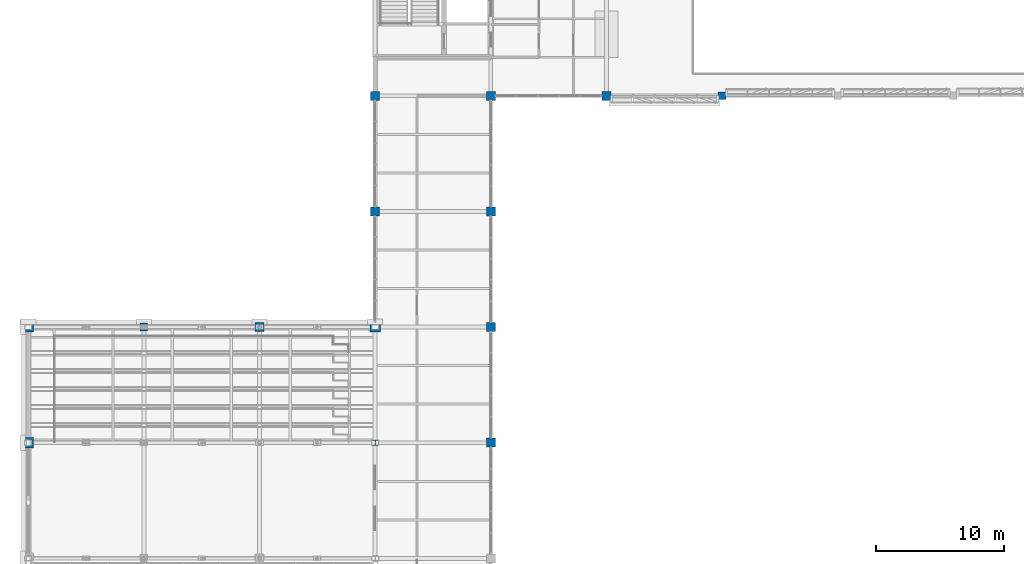
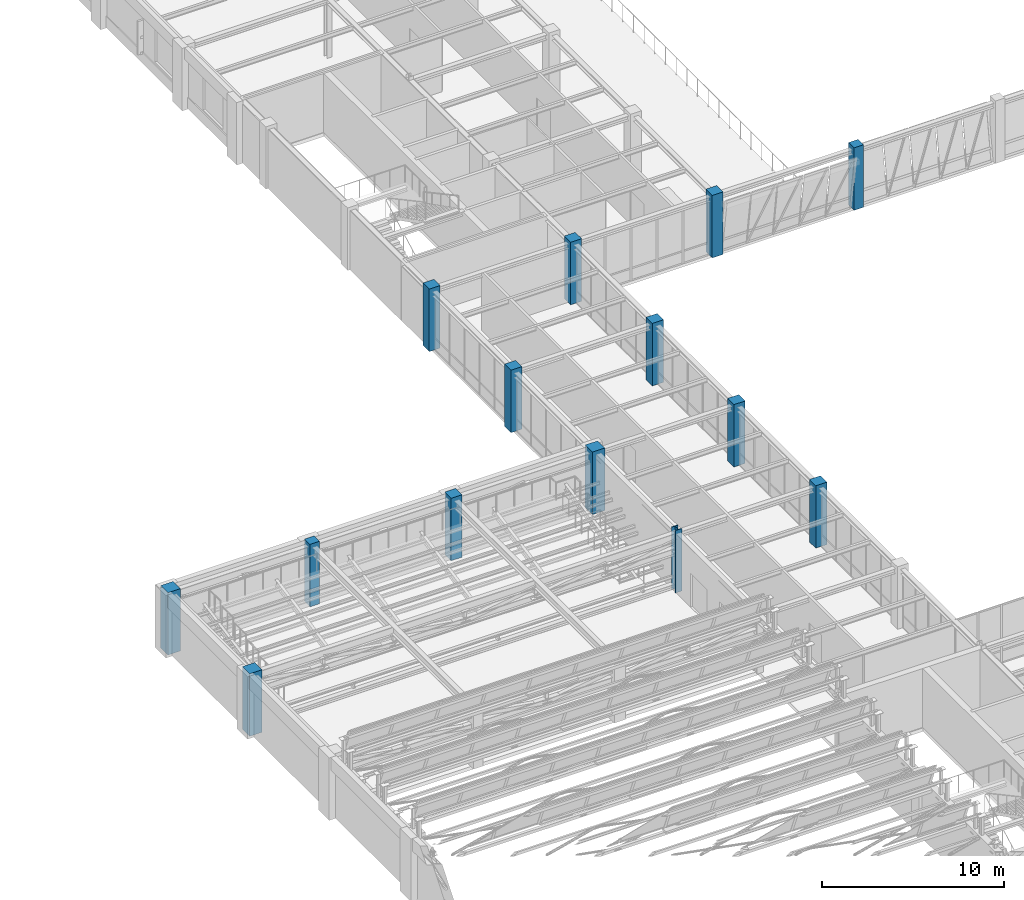
# One storey, part 3 of 108: 14 columns.
"""IFC4 building model written with IfcOpenShell, lengths in metres."""

from ifc_helpers import new_model, si_unit, direction, frame, origin, origin_2d, place, context, subcontext, project, spatial, rectangle, i_section, extrude, material, material_profile, profile_set, type_object, element, save


model = new_model("IFC4")

# Units and contexts
model_context = context("Model", 3, precision=1e-05, world=origin(), true_north=direction((0.0, 1.0)))
body_context = subcontext(model_context, "Body", "Model", "MODEL_VIEW")
ifc_project = project(units=[si_unit("LENGTHUNIT", "METRE"), si_unit("AREAUNIT", "SQUARE_METRE"), si_unit("VOLUMEUNIT", "CUBIC_METRE"), si_unit("PLANEANGLEUNIT", "RADIAN"), si_unit("MASSUNIT", "GRAM", prefix="KILO")], contexts=[model_context])

# Site, building, storey
site_placement = place(None, origin())
site = spatial("IfcSite", under=ifc_project, at=site_placement, CompositionType="ELEMENT")
building_placement = place(site_placement, origin())
building = spatial("IfcBuilding", under=site, at=building_placement, Name="Lykobir Media Centre", CompositionType="ELEMENT")
storey_placement = place(building_placement, frame((0.0, 0.0, 15.0)))
storey = spatial("IfcBuildingStorey", under=building, at=storey_placement, Name="L03", CompositionType="ELEMENT", Elevation=15.0)

# Columns
ifc_material_1 = material(Name="Concrete C40/50", Category="concrete")
ifc_material_profile_1 = material_profile(ifc_material_1, rectangle(XDim=0.60009765625, YDim=0.60009765625, at=origin_2d()), Name="RC 600x600")
ifc_profile_set_1 = profile_set([ifc_material_profile_1], Name="Concrete C40/50")
column_type_1 = type_object("IfcColumnType", Name="RC-C600", PredefinedType="COLUMN", material=ifc_profile_set_1)
for number, where, z_axis, x_axis, name in (
    (1, (9.0, 45.0, 0.0), (0.0, 0.0, 1.0), (1.0, 0.0, 0.0), "Column COL-L03-0090-0450"),
    (2, (54.0, 63.0, 0.0), (0.0, 0.0, 1.0), (1.0, 0.0, 0.0), "Column COL-L03-0540-0630"),
):
    element("IfcColumn", number, at=place(storey_placement, frame(where, z_axis=z_axis, x_axis=x_axis)), inside=storey, type_object=column_type_1, Name=name, PredefinedType="COLUMN", context=body_context, shape_type="SweptSolid", body=[
        extrude(rectangle(XDim=0.60009765625, YDim=0.60009765625, at=origin_2d()), origin(), (0.0, 0.0, 1.0), 4.199951171875),
    ])
ifc_material_profile_2 = material_profile(ifc_material_1, rectangle(XDim=0.699951171875, YDim=0.699951171875, at=origin_2d()), Name="RC 700x700")
ifc_profile_set_2 = profile_set([ifc_material_profile_2], Name="Concrete C40/50")
column_type_2 = type_object("IfcColumnType", Name="RC-C700", PredefinedType="COLUMN", material=ifc_profile_set_2)
for number, where, z_axis, x_axis, name in (
    (3, (18.0, 45.0, 0.0), (0.0, 0.0, 1.0), (1.0, 0.0, 0.0), "Column COL-L03-0180-0450"),
    (4, (27.0, 54.0, 0.0), (0.0, 0.0, 1.0), (1.0, 0.0, 0.0), "Column COL-L03-0270-0540"),
    (5, (27.0, 63.0, 0.0), (0.0, 0.0, 1.0), (1.0, 0.0, 0.0), "Column COL-L03-0270-0630"),
    (6, (36.0, 36.0, 0.0), (0.0, 0.0, 1.0), (1.0, 0.0, 0.0), "Column COL-L03-0360-0360"),
    (7, (36.0, 45.0, 0.0), (0.0, 0.0, 1.0), (1.0, 0.0, 0.0), "Column COL-L03-0360-0450"),
    (8, (36.0, 54.0, 0.0), (0.0, 0.0, 1.0), (1.0, 0.0, 0.0), "Column COL-L03-0360-0540"),
    (9, (36.0, 63.0, 0.0), (0.0, 0.0, 1.0), (1.0, 0.0, 0.0), "Column COL-L03-0360-0630"),
    (10, (45.0, 63.0, 0.0), (0.0, 0.0, 1.0), (1.0, 0.0, 0.0), "Column COL-L03-0450-0630"),
):
    element("IfcColumn", number, at=place(storey_placement, frame(where, z_axis=z_axis, x_axis=x_axis)), inside=storey, type_object=column_type_2, Name=name, PredefinedType="COLUMN", context=body_context, shape_type="SweptSolid", body=[
        extrude(rectangle(XDim=0.699951171875, YDim=0.699951171875, at=origin_2d()), origin(), (0.0, 0.0, 1.0), 4.199951171875),
    ])
ifc_material_profile_3 = material_profile(ifc_material_1, rectangle(XDim=0.800048828125, YDim=0.800048828125, at=origin_2d()), Name="RC 800x800")
ifc_profile_set_3 = profile_set([ifc_material_profile_3], Name="Concrete C40/50")
column_type_3 = type_object("IfcColumnType", Name="RC-C800", PredefinedType="COLUMN", material=ifc_profile_set_3)
column_1_placement = place(storey_placement, frame((27.0, 45.0, 0.0), z_axis=(0.0, 0.0, 1.0), x_axis=(1.0, 0.0, 0.0)))
element("IfcColumn", 11, at=column_1_placement, inside=storey, type_object=column_type_3, Name="Column COL-L03-0270-0450", PredefinedType="COLUMN", context=body_context, shape_type="SweptSolid", body=[
    extrude(rectangle(XDim=0.800048828125, YDim=0.800048828125, at=origin_2d()), origin(), (0.0, 0.0, 1.0), 4.199951171875),
])
ifc_material_profile_4 = material_profile(ifc_material_1, rectangle(XDim=0.800048828125, YDim=0.800048828125, at=origin_2d()), Name="RC 800x800")
ifc_profile_set_4 = profile_set([ifc_material_profile_4], Name="Concrete C40/50")
column_type_4 = type_object("IfcColumnType", Name="RC-C800-E", PredefinedType="COLUMN", material=ifc_profile_set_4)
for number, where, z_axis, x_axis, name in (
    (12, (0.0, 36.0, 0.0), (0.0, 0.0, 1.0), (1.0, 0.0, 0.0), "Column COL-L03-0000-0360"),
    (13, (0.0, 45.0, 0.0), (0.0, 0.0, 1.0), (1.0, 0.0, 0.0), "Column COL-L03-0000-0450"),
):
    element("IfcColumn", number, at=place(storey_placement, frame(where, z_axis=z_axis, x_axis=x_axis)), inside=storey, type_object=column_type_4, Name=name, PredefinedType="COLUMN", context=body_context, shape_type="SweptSolid", body=[
        extrude(rectangle(XDim=0.800048828125, YDim=0.800048828125, at=origin_2d()), origin(), (0.0, 0.0, 1.0), 4.199951171875),
    ])
ifc_material_2 = material(Name="Steel S355", Category="steel")
ifc_material_profile_5 = material_profile(ifc_material_2, i_section(OverallWidth=0.410888671875, OverallDepth=0.425048828125, WebThickness=0.021484375, FlangeThickness=0.031982421875, at=origin_2d()), Name="HD 400x421")
ifc_profile_set_5 = profile_set([ifc_material_profile_5], Name="Steel S355")
column_type_5 = type_object("IfcColumnType", Name="SC-HD421", PredefinedType="COLUMN", material=ifc_profile_set_5)
column_2_placement = place(storey_placement, frame((27.0, 36.0, 0.0), z_axis=(0.0, 0.0, 1.0), x_axis=(1.0, 0.0, 0.0)))
element("IfcColumn", 14, at=column_2_placement, inside=storey, type_object=column_type_5, Name="Column COL-L03-0270-0360", PredefinedType="COLUMN", context=body_context, shape_type="SweptSolid", body=[
    extrude(i_section(OverallWidth=0.410888671875, OverallDepth=0.425048828125, WebThickness=0.021484375, FlangeThickness=0.031982421875, at=origin_2d()), origin(), (0.0, 0.0, 1.0), 4.199951171875),
])

save(model, "model.ifc")
